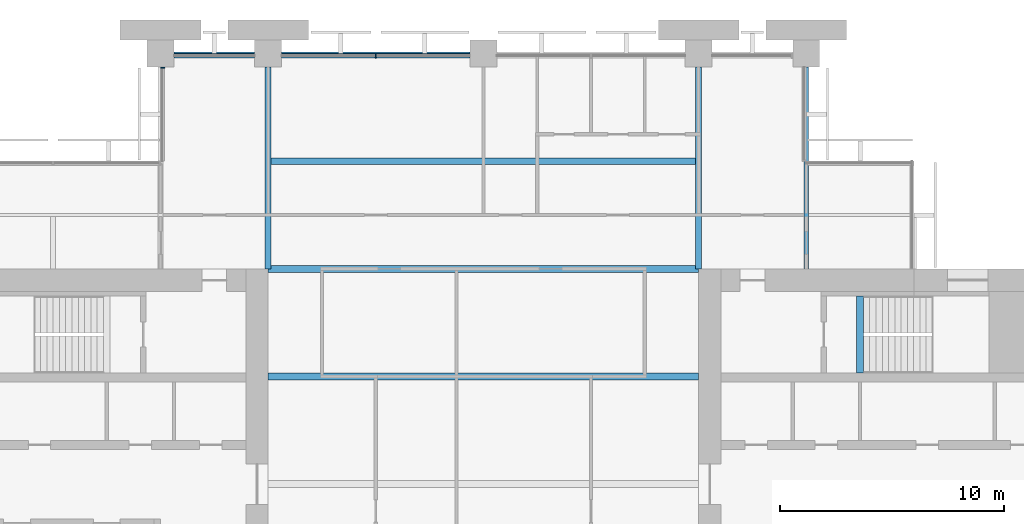
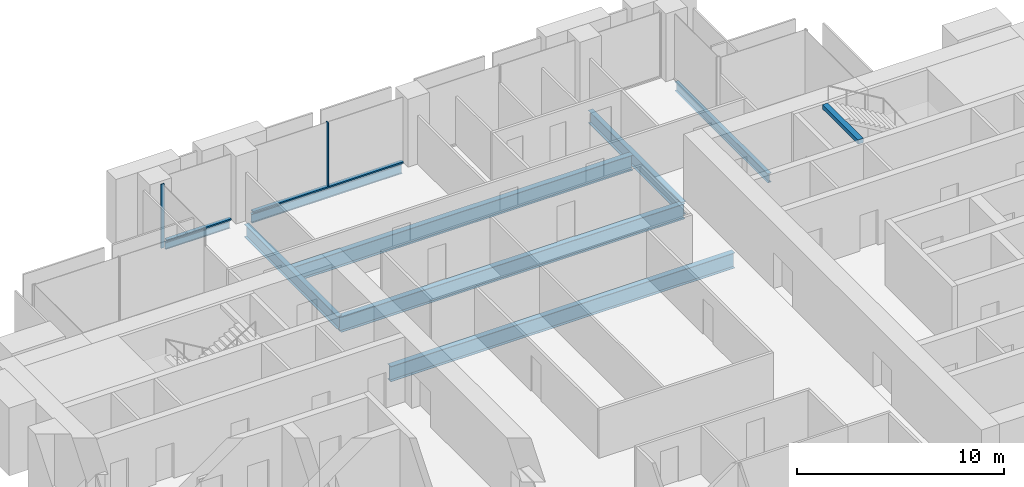
# One storey, part 6 of 14: 9 beams, 4 members, 2 elements without a shape of their own.
"""IFC4 building model written with IfcOpenShell, lengths in metres."""

from ifc_helpers import new_model, si_unit, direction, frame, origin, origin_2d, place, context, subcontext, project, spatial, rectangle, i_section, extrude, material, material_profile, profile_set, type_object, element, aggregate, save


model = new_model("IFC4")

# Units and contexts
model_context = context("Model", 3, precision=1e-05, world=origin(), true_north=direction((0.0, 1.0)))
body_context = subcontext(model_context, "Body", "Model", "MODEL_VIEW")
ifc_project = project(units=[si_unit("LENGTHUNIT", "METRE"), si_unit("AREAUNIT", "SQUARE_METRE"), si_unit("VOLUMEUNIT", "CUBIC_METRE"), si_unit("PLANEANGLEUNIT", "RADIAN"), si_unit("MASSUNIT", "GRAM", prefix="KILO")], contexts=[model_context])

# Site, building, storey
site_placement = place(None, origin())
site = spatial("IfcSite", under=ifc_project, at=site_placement, CompositionType="ELEMENT")
building_placement = place(site_placement, origin())
building = spatial("IfcBuilding", under=site, at=building_placement, Name="Baori Bourse Tower", CompositionType="ELEMENT")
storey_placement = place(building_placement, frame((0.0, 0.0, 148.10009765625)))
storey = spatial("IfcBuildingStorey", under=building, at=storey_placement, Name="L32", CompositionType="ELEMENT", Elevation=148.10009765625)

# Curtain wall, members
ifc_material_1 = material(Name="Pale anodised aluminium", Category="aluminium")
curtain_wall_type_1 = type_object("IfcCurtainWallType", Name="CW1 Curtain wall", PredefinedType="NOTDEFINED", material=ifc_material_1)
curtain_wall_1_placement = place(storey_placement, origin())
curtain_wall_1 = element("IfcCurtainWall", 1, at=curtain_wall_1_placement, inside=storey, type_object=curtain_wall_type_1, Name="Curtain wall CW1 L32 4", PredefinedType="NOTDEFINED")
ifc_material_2 = material(Name="Pale anodised aluminium", Category="aluminium")
ifc_material_profile_1 = material_profile(ifc_material_2, rectangle(XDim=0.199951171875, YDim=0.06005859375, at=origin_2d()), Name="Mullion 60x200")
ifc_profile_set_1 = profile_set([ifc_material_profile_1], Name="Pale anodised aluminium")
member_type_1 = type_object("IfcMemberType", Name="CW1 Curtain wall mullion", PredefinedType="MULLION", material=ifc_profile_set_1)
member_1_placement = place(storey_placement, frame((24.0, 47.89990234375, 0.079833984375), z_axis=(0.0, 0.0, 1.0), x_axis=(0.0, -1.0, 0.0)))
member_1 = element("IfcMember", 2, at=member_1_placement, type_object=member_type_1, Name="Curtain wall CW1 mullion", PredefinedType="MULLION", context=body_context, shape_type="SweptSolid", body=[
    extrude(rectangle(XDim=0.199951171875, YDim=0.06005859375, at=origin_2d()), origin(), (0.0, 0.0, 1.0), 3.760009765625),
])
ifc_material_3 = material(Name="Pale anodised aluminium", Category="aluminium")
ifc_material_profile_2 = material_profile(ifc_material_3, rectangle(XDim=0.199951171875, YDim=0.080078125, at=origin_2d()), Name="Transom 80x200")
ifc_profile_set_2 = profile_set([ifc_material_profile_2], Name="Pale anodised aluminium")
member_type_2 = type_object("IfcMemberType", Name="CW1 Curtain wall transom", PredefinedType="USERDEFINED", material=ifc_profile_set_2)
member_2_placement = place(storey_placement, frame((28.199951171875, 47.89990234375, 0.039794921875), z_axis=(-1.0, 0.0, 0.0), x_axis=(0.0, -1.0, 0.0)))
member_2 = element("IfcMember", 3, at=member_2_placement, type_object=member_type_2, Name="Curtain wall CW1 sill rail", ObjectType="TRANSOM", PredefinedType="USERDEFINED", context=body_context, shape_type="SweptSolid", body=[
    extrude(rectangle(XDim=0.199951171875, YDim=0.080078125, at=origin_2d()), origin(), (0.0, 0.0, 1.0), 8.39990234375),
])
member_3_placement = place(storey_placement, frame((18.60009765625, 47.89990234375, 0.039794921875), z_axis=(-1.0, 0.0, 0.0), x_axis=(0.0, -1.0, 0.0)))
member_3 = element("IfcMember", 4, at=member_3_placement, type_object=member_type_2, Name="Curtain wall CW1 sill rail", ObjectType="TRANSOM", PredefinedType="USERDEFINED", context=body_context, shape_type="SweptSolid", body=[
    extrude(rectangle(XDim=0.199951171875, YDim=0.080078125, at=origin_2d()), origin(), (0.0, 0.0, 1.0), 3.60009765625),
])
aggregate(curtain_wall_1, [member_2, member_1, member_3])

# Curtain wall, member
ifc_material_4 = material(Name="Pale anodised aluminium", Category="aluminium")
curtain_wall_type_2 = type_object("IfcCurtainWallType", Name="CW2 Curtain wall", PredefinedType="NOTDEFINED", material=ifc_material_4)
curtain_wall_2_placement = place(storey_placement, origin())
curtain_wall_2 = element("IfcCurtainWall", 5, at=curtain_wall_2_placement, inside=storey, type_object=curtain_wall_type_2, Name="Curtain wall CW2 L32 5", PredefinedType="NOTDEFINED")
ifc_material_5 = material(Name="Pale anodised aluminium", Category="aluminium")
ifc_material_profile_3 = material_profile(ifc_material_5, rectangle(XDim=0.179931640625, YDim=0.054931640625, at=origin_2d()), Name="Mullion 55x180")
ifc_profile_set_3 = profile_set([ifc_material_profile_3], Name="Pale anodised aluminium")
member_type_3 = type_object("IfcMemberType", Name="CW2 Curtain wall mullion", PredefinedType="MULLION", material=ifc_profile_set_3)
member_4_placement = place(storey_placement, frame((14.489990234375, 47.37255859375, 0.06982421875), z_axis=(0.0, 0.0, 1.0), x_axis=(1.0, 0.0, 0.0)))
member_4 = element("IfcMember", 6, at=member_4_placement, type_object=member_type_3, Name="Curtain wall CW2 mullion", PredefinedType="MULLION", context=body_context, shape_type="SweptSolid", body=[
    extrude(rectangle(XDim=0.179931640625, YDim=0.054931640625, at=origin_2d()), origin(), (0.0, 0.0, 1.0), 3.77001953125),
])
aggregate(curtain_wall_2, [member_4])

# Beams
ifc_material_6 = material(Name="Steel A992 Gr 50", Category="steel")
ifc_material_profile_4 = material_profile(ifc_material_6, i_section(OverallWidth=0.140380859375, OverallDepth=0.40380859375, WebThickness=0.007080078125, FlangeThickness=0.01123046875, at=origin_2d()), Name="W16x31")
ifc_profile_set_4 = profile_set([ifc_material_profile_4], Name="Steel A992 Gr 50")
beam_type_1 = type_object("IfcBeamType", Name="Edge beam W16x31", PredefinedType="BEAM", material=ifc_profile_set_4)
beam_1_placement = place(storey_placement, frame((15.0, 48.0, -0.362060546875), z_axis=(1.0, 0.0, 0.0), x_axis=(0.0, 1.0, 0.0)))
element("IfcBeam", 7, at=beam_1_placement, inside=storey, type_object=beam_type_1, Name="Edge beam L32", PredefinedType="BEAM", context=body_context, shape_type="SweptSolid", body=[
    extrude(i_section(OverallWidth=0.140380859375, OverallDepth=0.40380859375, WebThickness=0.007080078125, FlangeThickness=0.01123046875, at=origin_2d()), origin(), (0.0, 0.0, 1.0), 3.60009765625),
])
ifc_material_7 = material(Name="Steel A992 Gr 50", Category="steel")
ifc_material_profile_5 = material_profile(ifc_material_7, i_section(OverallWidth=0.1650390625, OverallDepth=0.52587890625, WebThickness=0.0087890625, FlangeThickness=0.011474609375, at=origin_2d()), Name="W21x44")
ifc_profile_set_5 = profile_set([ifc_material_profile_5], Name="Steel A992 Gr 50")
beam_type_2 = type_object("IfcBeamType", Name="Edge beam W21x44", PredefinedType="BEAM", material=ifc_profile_set_5)
beam_2_placement = place(storey_placement, frame((19.800048828125, 48.0, -0.423095703125), z_axis=(1.0, 0.0, 0.0), x_axis=(0.0, 1.0, 0.0)))
element("IfcBeam", 8, at=beam_2_placement, inside=storey, type_object=beam_type_2, Name="Edge beam L32", PredefinedType="BEAM", context=body_context, shape_type="SweptSolid", body=[
    extrude(i_section(OverallWidth=0.1650390625, OverallDepth=0.52587890625, WebThickness=0.0087890625, FlangeThickness=0.011474609375, at=origin_2d()), origin(), (0.0, 0.0, 1.0), 8.39990234375),
])
ifc_material_8 = material(Name="Steel A992 Gr 50", Category="steel")
ifc_material_profile_6 = material_profile(ifc_material_8, i_section(OverallWidth=0.209228515625, OverallDepth=0.533447265625, WebThickness=0.01025390625, FlangeThickness=0.015625, at=origin_2d()), Name="W21x62")
ifc_profile_set_6 = profile_set([ifc_material_profile_6], Name="Steel A992 Gr 50")
beam_type_3 = type_object("IfcBeamType", Name="Floor beam W21x62", PredefinedType="BEAM", material=ifc_profile_set_6)
beam_3_placement = place(storey_placement, frame((43.199951171875, 38.39990234375, -0.4267578125), z_axis=(0.0, 1.0, 0.0), x_axis=(-1.0, 0.0, 0.0)))
element("IfcBeam", 9, at=beam_3_placement, inside=storey, type_object=beam_type_3, Name="Floor beam L32", PredefinedType="BEAM", context=body_context, shape_type="SweptSolid", body=[
    extrude(i_section(OverallWidth=0.209228515625, OverallDepth=0.533447265625, WebThickness=0.01025390625, FlangeThickness=0.015625, at=origin_2d()), origin(), (0.0, 0.0, 1.0), 9.0),
])
ifc_material_9 = material(Name="Steel A992 Gr 50", Category="steel")
ifc_material_profile_7 = material_profile(ifc_material_9, i_section(OverallWidth=0.3046875, OverallDepth=0.904296875, WebThickness=0.01513671875, FlangeThickness=0.02001953125, at=origin_2d()), Name="W36x135")
ifc_profile_set_7 = profile_set([ifc_material_profile_7], Name="Steel A992 Gr 50")
beam_type_4 = type_object("IfcBeamType", Name="Floor beam W36x135", PredefinedType="BEAM", material=ifc_profile_set_7)
for number, where, z_axis, x_axis, name in (
    (10, (19.199951171875, 33.60009765625, -0.6123046875), (1.0, 0.0, 0.0), (0.0, 1.0, 0.0), "Floor beam L32"),
    (11, (19.199951171875, 38.39990234375, -0.6123046875), (1.0, 0.0, 0.0), (0.0, 1.0, 0.0), "Floor beam L32"),
):
    element("IfcBeam", number, at=place(storey_placement, frame(where, z_axis=z_axis, x_axis=x_axis)), inside=storey, type_object=beam_type_4, Name=name, PredefinedType="BEAM", context=body_context, shape_type="SweptSolid", body=[
        extrude(i_section(OverallWidth=0.3046875, OverallDepth=0.904296875, WebThickness=0.01513671875, FlangeThickness=0.02001953125, at=origin_2d()), origin(), (0.0, 0.0, 1.0), 19.199951171875),
    ])
beam_4_placement = place(storey_placement, frame((19.33203125, 43.199951171875, -0.6123046875), z_axis=(1.0, 0.0, 0.0), x_axis=(0.0, 1.0, 0.0)))
element("IfcBeam", 12, at=beam_4_placement, inside=storey, type_object=beam_type_4, Name="Floor beam L32", PredefinedType="BEAM", context=body_context, shape_type="SweptSolid", body=[
    extrude(i_section(OverallWidth=0.3046875, OverallDepth=0.904296875, WebThickness=0.01513671875, FlangeThickness=0.02001953125, at=origin_2d()), origin(), (0.0, 0.0, 1.0), 18.935791015625),
])
ifc_material_10 = material(Name="Steel A992 Gr 50", Category="steel")
ifc_material_profile_8 = material_profile(ifc_material_10, i_section(OverallWidth=0.26416015625, OverallDepth=0.749267578125, WebThickness=0.011962890625, FlangeThickness=0.015380859375, at=origin_2d()), Name="W30x90")
ifc_profile_set_8 = profile_set([ifc_material_profile_8], Name="Steel A992 Gr 50")
beam_type_5 = type_object("IfcBeamType", Name="Girder W30x90", PredefinedType="BEAM", material=ifc_profile_set_8)
for number, where, z_axis, x_axis, name in (
    (13, (19.199951171875, 38.39990234375, -0.53466796875), (0.0, 1.0, 0.0), (-1.0, 0.0, 0.0), "Girder L32"),
    (14, (38.39990234375, 38.39990234375, -0.53466796875), (0.0, 1.0, 0.0), (-1.0, 0.0, 0.0), "Girder L32"),
):
    element("IfcBeam", number, at=place(storey_placement, frame(where, z_axis=z_axis, x_axis=x_axis)), inside=storey, type_object=beam_type_5, Name=name, PredefinedType="BEAM", context=body_context, shape_type="SweptSolid", body=[
        extrude(i_section(OverallWidth=0.26416015625, OverallDepth=0.749267578125, WebThickness=0.011962890625, FlangeThickness=0.015380859375, at=origin_2d()), origin(), (0.0, 0.0, 1.0), 9.0),
    ])
ifc_material_11 = material(Name="Concrete f'c 50 MPa", Category="concrete")
ifc_material_profile_9 = material_profile(ifc_material_11, rectangle(XDim=0.300048828125, YDim=0.25, at=origin_2d()), Name="RC 300x250")
ifc_profile_set_9 = profile_set([ifc_material_profile_9], Name="Concrete f'c 50 MPa")
beam_type_6 = type_object("IfcBeamType", Name="Stair nib beam RC 300x250", PredefinedType="BEAM", material=ifc_profile_set_9)
beam_5_placement = place(storey_placement, frame((45.60009765625, 33.75, 3.71484375), z_axis=(0.0, 1.0, 0.0), x_axis=(-1.0, 0.0, 0.0)))
element("IfcBeam", 15, at=beam_5_placement, inside=storey, type_object=beam_type_6, Name="Stair EB nib beam L33", PredefinedType="BEAM", context=body_context, shape_type="SweptSolid", body=[
    extrude(rectangle(XDim=0.300048828125, YDim=0.25, at=origin_2d()), origin(), (0.0, 0.0, 1.0), 3.449951171875),
])

save(model, "model.ifc")
